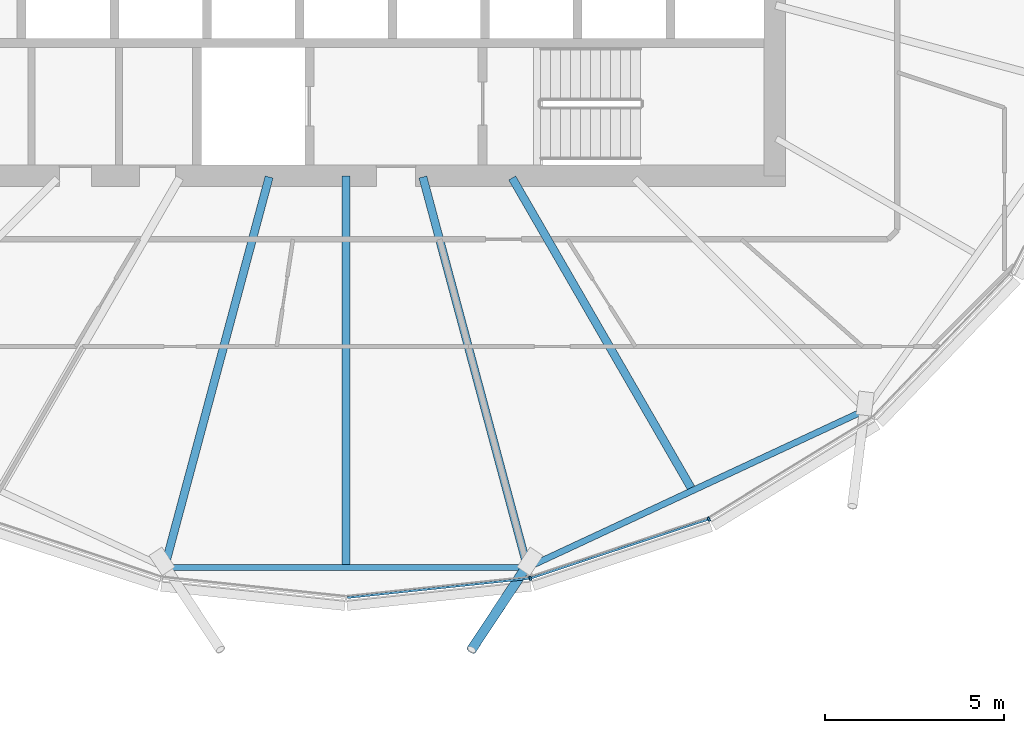
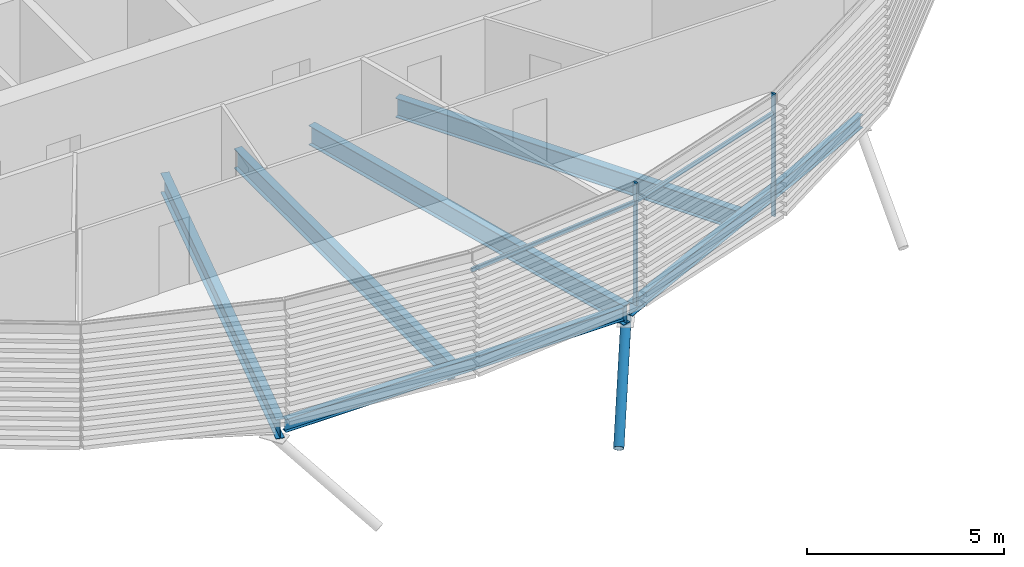
# One storey, part 4 of 37: 6 beams, 5 members, 1 element without a shape of its own.
"""IFC4 building model written with IfcOpenShell, lengths in metres."""

from ifc_helpers import new_model, si_unit, direction, frame, origin, origin_2d, place, context, subcontext, project, spatial, rectangle, hollow_circle, i_section, extrude, clip, halfspace, material, material_profile, profile_set, type_object, element, aggregate, save


model = new_model("IFC4")

# Units and contexts
model_context = context("Model", 3, precision=1e-05, world=origin(), true_north=direction((0.0, 1.0)))
body_context = subcontext(model_context, "Body", "Model", "MODEL_VIEW")
ifc_project = project(units=[si_unit("LENGTHUNIT", "METRE"), si_unit("AREAUNIT", "SQUARE_METRE"), si_unit("VOLUMEUNIT", "CUBIC_METRE"), si_unit("PLANEANGLEUNIT", "RADIAN"), si_unit("MASSUNIT", "GRAM", prefix="KILO")], contexts=[model_context])

# Site, building, storey
site_placement = place(None, origin())
site = spatial("IfcSite", under=ifc_project, at=site_placement, CompositionType="ELEMENT")
building_placement = place(site_placement, origin())
building = spatial("IfcBuilding", under=site, at=building_placement, Name="Rimbun Link Towers", CompositionType="ELEMENT")
storey_placement = place(building_placement, frame((0.0, 0.0, 177.89990234375)))
storey = spatial("IfcBuildingStorey", under=building, at=storey_placement, Name="L43", CompositionType="ELEMENT", Elevation=177.89990234375)

# Curtain wall, members
ifc_material_1 = material(Name="Aluminium 6063-T6 and low-iron glass", Category="aluminium")
curtain_wall_type = type_object("IfcCurtainWallType", Name="CW1-Z3 unitised vision wall (zone 3)", PredefinedType="NOTDEFINED", material=ifc_material_1)
curtain_wall_placement = place(storey_placement, origin())
curtain_wall = element("IfcCurtainWall", 1, at=curtain_wall_placement, inside=storey, type_object=curtain_wall_type, Name="CW1 L43 T1", PredefinedType="NOTDEFINED")
ifc_material_2 = material(Name="Aluminium 6063-T6", Category="aluminium")
ifc_material_profile_1 = material_profile(ifc_material_2, rectangle(XDim=0.1201171875, YDim=0.06005859375, at=origin_2d()), Name="MULLION 60X120")
ifc_profile_set_1 = profile_set([ifc_material_profile_1], Name="Aluminium 6063-T6")
member_type_1 = type_object("IfcMemberType", Name="CW1 mullion 60X120", PredefinedType="MULLION", material=ifc_profile_set_1)
member_1_placement = place(storey_placement, frame((-26.591064453125, -19.26513671875, 0.0), z_axis=(0.0, 0.0, 1.0), x_axis=(0.21086664913, -0.977514836862, 0.0)))
member_1 = element("IfcMember", 2, at=member_1_placement, type_object=member_type_1, Name="CW1 mullion", PredefinedType="MULLION", context=body_context, shape_type="SweptSolid", body=[
    extrude(rectangle(XDim=0.1201171875, YDim=0.06005859375, at=origin_2d()), origin(), (0.0, 0.0, 1.0), 3.800048828125),
])
member_2_placement = place(storey_placement, frame((-21.590087890625, -17.60791015625, 0.0), z_axis=(0.0, 0.0, 1.0), x_axis=(0.421696857655, -0.906736874867, 0.0)))
member_2 = element("IfcMember", 3, at=member_2_placement, type_object=member_type_1, Name="CW1 mullion", PredefinedType="MULLION", context=body_context, shape_type="SweptSolid", body=[
    extrude(rectangle(XDim=0.1201171875, YDim=0.06005859375, at=origin_2d()), origin(), (0.0, 0.0, 1.0), 3.800048828125),
])
ifc_material_3 = material(Name="Aluminium 6063-T6", Category="aluminium")
ifc_material_profile_2 = material_profile(ifc_material_3, rectangle(XDim=0.06005859375, YDim=0.1201171875, at=origin_2d()), Name="TRANSOM 60X120")
ifc_profile_set_2 = profile_set([ifc_material_profile_2], Name="Aluminium 6063-T6")
member_type_2 = type_object("IfcMemberType", Name="CW1 transom 60X120", PredefinedType="USERDEFINED", material=ifc_profile_set_2)
member_3_placement = place(storey_placement, frame((-26.62744140625, -19.267333984375, 3.2001953125), z_axis=(-0.994496295036, -0.104771747905, 0.0), x_axis=(0.104771747905, -0.994496295036, 0.0)))
member_3 = element("IfcMember", 4, at=member_3_placement, type_object=member_type_2, Name="CW1 transom", ObjectType="TRANSOM", PredefinedType="USERDEFINED", context=body_context, shape_type="SweptSolid", body=[
    extrude(rectangle(XDim=0.06005859375, YDim=0.1201171875, at=origin_2d()), origin(), (0.0, 0.0, 1.0), 5.11474609375),
])
member_4_placement = place(storey_placement, frame((-21.625732421875, -17.6181640625, 3.2001953125), z_axis=(-0.949241076182, -0.314549486231, 0.0), x_axis=(0.314549486231, -0.949241076182, 0.0)))
member_4 = element("IfcMember", 5, at=member_4_placement, type_object=member_type_2, Name="CW1 transom", ObjectType="TRANSOM", PredefinedType="USERDEFINED", context=body_context, shape_type="SweptSolid", body=[
    extrude(rectangle(XDim=0.06005859375, YDim=0.1201171875, at=origin_2d()), origin(), (0.0, 0.0, 1.0), 5.19482421875),
])
aggregate(curtain_wall, [member_1, member_2, member_3, member_4])

# Member
ifc_material_4 = material(Name="Steel S355J2H", Category="steel")
ifc_material_profile_3 = material_profile(ifc_material_4, hollow_circle(Radius=0.136474609375, WallThickness=0.012451171875, at=origin_2d()), Name="CHS 273x12.5")
ifc_profile_set_3 = profile_set([ifc_material_profile_3], Name="Steel S355J2H")
member_type_3 = type_object("IfcMemberType", Name="Floor edge link CHS 273x12.5", PredefinedType="BRACE", material=ifc_profile_set_3)
member_5_placement = place(storey_placement, frame((-26.68212890625, -18.913818359375, -0.867919921875), z_axis=(-0.466176368743, -0.704006566256, -0.535774530837), x_axis=(0.833774286505, -0.552105460183, 0.0)))
element("IfcMember", 6, at=member_5_placement, inside=storey, type_object=member_type_3, Name="Floor edge link T1 L43 19", PredefinedType="BRACE", context=body_context, shape_type="Clipping", body=[
    clip(extrude(hollow_circle(Radius=0.136474609375, WallThickness=0.012451171875, at=origin_2d()), frame((0.0, 0.0, -0.44873046875)), (0.0, 0.0, 1.0), 3.79541015625), halfspace(frame((0.0, 0.0, -0.211669921875), z_axis=(0.0, 0.844361091066, -0.535774530837)), False)),
])

# Beams
ifc_material_5 = material(Name="Steel S355J2", Category="steel")
ifc_material_profile_4 = material_profile(ifc_material_5, i_section(OverallWidth=0.177978515625, OverallDepth=0.406494140625, WebThickness=0.0078125, FlangeThickness=0.0126953125, at=origin_2d()), Name="UB 406x178x60")
ifc_profile_set_4 = profile_set([ifc_material_profile_4], Name="Steel S355J2")
beam_type_1 = type_object("IfcBeamType", Name="UB 406x178x60", PredefinedType="BEAM", material=ifc_profile_set_4)
beam_1_placement = place(storey_placement, frame((-36.712158203125, -18.962158203125, -0.35302734375), z_axis=(1.0, 0.0, 0.0), x_axis=(0.0, 1.0, 0.0)))
element("IfcBeam", 7, at=beam_1_placement, inside=storey, type_object=beam_type_1, Name="Edge beam T1 L43 17-19", PredefinedType="BEAM", context=body_context, shape_type="SweptSolid", body=[
    extrude(i_section(OverallWidth=0.177978515625, OverallDepth=0.406494140625, WebThickness=0.0078125, FlangeThickness=0.0126953125, at=origin_2d()), origin(), (0.0, 0.0, 1.0), 9.92431640625),
])
beam_2_placement = place(storey_placement, frame((-26.5634765625, -18.912841796875, -0.35302734375), z_axis=(0.906407653758, 0.422404030768, 0.0), x_axis=(-0.422404030768, 0.906407653758, 0.0)))
element("IfcBeam", 8, at=beam_2_placement, inside=storey, type_object=beam_type_1, Name="Edge beam T1 L43 19-21", PredefinedType="BEAM", context=body_context, shape_type="SweptSolid", body=[
    extrude(i_section(OverallWidth=0.177978515625, OverallDepth=0.406494140625, WebThickness=0.0078125, FlangeThickness=0.0126953125, at=origin_2d()), origin(), (0.0, 0.0, 1.0), 10.217529296875),
])
ifc_material_6 = material(Name="Steel S355J2", Category="steel")
ifc_material_profile_5 = material_profile(ifc_material_6, i_section(OverallWidth=0.2275390625, OverallDepth=0.6025390625, WebThickness=0.010498046875, FlangeThickness=0.014892578125, at=origin_2d()), Name="UB 610x229x101")
ifc_profile_set_5 = profile_set([ifc_material_profile_5], Name="Steel S355J2")
beam_type_2 = type_object("IfcBeamType", Name="UB 610x229x101", PredefinedType="BEAM", material=ifc_profile_set_5)
beam_3_placement = place(storey_placement, frame((-33.901611328125, -8.030517578125, -0.451171875), z_axis=(-0.258825223364, -0.965924170808, 0.0), x_axis=(0.965924170808, -0.258825223364, 0.0)))
element("IfcBeam", 9, at=beam_3_placement, inside=storey, type_object=beam_type_2, Name="Radial beam T1 L43 17", PredefinedType="BEAM", context=body_context, shape_type="SweptSolid", body=[
    extrude(i_section(OverallWidth=0.2275390625, OverallDepth=0.6025390625, WebThickness=0.010498046875, FlangeThickness=0.014892578125, at=origin_2d()), origin(), (0.0, 0.0, 1.0), 11.3173828125),
])
beam_4_placement = place(storey_placement, frame((-31.75, -8.0009765625, -0.451171875), z_axis=(0.0, -1.0, 0.0), x_axis=(1.0, 0.0, 0.0)))
element("IfcBeam", 10, at=beam_4_placement, inside=storey, type_object=beam_type_2, Name="Radial beam T1 L43 18", PredefinedType="BEAM", context=body_context, shape_type="SweptSolid", body=[
    extrude(i_section(OverallWidth=0.2275390625, OverallDepth=0.6025390625, WebThickness=0.010498046875, FlangeThickness=0.014892578125, at=origin_2d()), origin(), (0.0, 0.0, 1.0), 10.871337890625),
])
beam_5_placement = place(storey_placement, frame((-29.598388671875, -8.030517578125, -0.451171875), z_axis=(0.258825223364, -0.965924170808, 0.0), x_axis=(0.965924170808, 0.258825223364, 0.0)))
element("IfcBeam", 11, at=beam_5_placement, inside=storey, type_object=beam_type_2, Name="Radial beam T1 L43 19", PredefinedType="BEAM", context=body_context, shape_type="SweptSolid", body=[
    extrude(i_section(OverallWidth=0.2275390625, OverallDepth=0.6025390625, WebThickness=0.010498046875, FlangeThickness=0.014892578125, at=origin_2d()), origin(), (0.0, 0.0, 1.0), 11.3173828125),
])
beam_6_placement = place(storey_placement, frame((-27.097900390625, -8.057861328125, -0.451171875), z_axis=(0.500001751638, -0.866024392473, 0.0), x_axis=(0.866024392473, 0.500001751638, 0.0)))
element("IfcBeam", 12, at=beam_6_placement, inside=storey, type_object=beam_type_2, Name="Radial beam T1 L43 20", PredefinedType="BEAM", context=body_context, shape_type="SweptSolid", body=[
    extrude(i_section(OverallWidth=0.2275390625, OverallDepth=0.6025390625, WebThickness=0.010498046875, FlangeThickness=0.014892578125, at=origin_2d()), origin(), (0.0, 0.0, 1.0), 10.01318359375),
])

save(model, "model.ifc")
